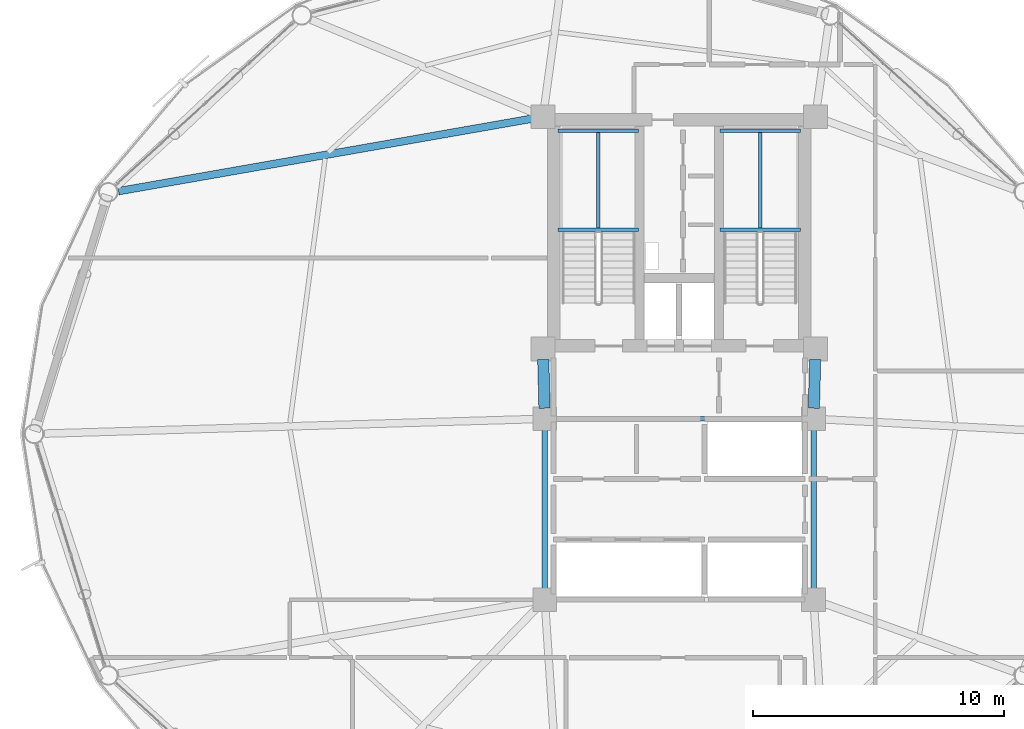
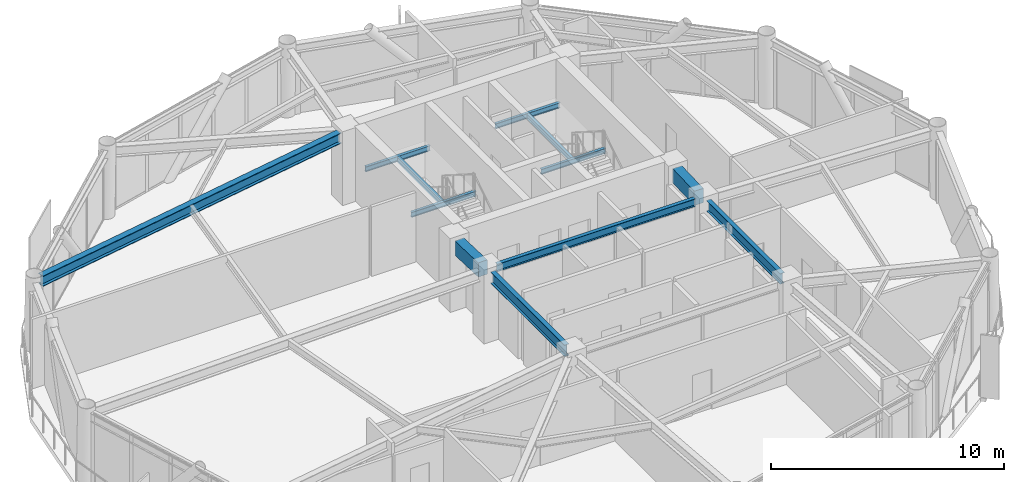
# One storey, part 11 of 25: 12 beams.
"""IFC4 building model written with IfcOpenShell, lengths in metres."""

from ifc_helpers import new_model, si_unit, direction, frame, origin, origin_2d, place, context, subcontext, project, spatial, rectangle, i_section, extrude, material, material_profile, profile_set, type_object, element, save


model = new_model("IFC4")

# Units and contexts
model_context = context("Model", 3, precision=1e-05, world=origin(), true_north=direction((0.0, 1.0)))
body_context = subcontext(model_context, "Body", "Model", "MODEL_VIEW")
ifc_project = project(units=[si_unit("LENGTHUNIT", "METRE"), si_unit("AREAUNIT", "SQUARE_METRE"), si_unit("VOLUMEUNIT", "CUBIC_METRE"), si_unit("PLANEANGLEUNIT", "RADIAN"), si_unit("MASSUNIT", "GRAM", prefix="KILO")], contexts=[model_context])

# Site, building, storey
site_placement = place(None, origin())
site = spatial("IfcSite", under=ifc_project, at=site_placement, CompositionType="ELEMENT")
building_placement = place(site_placement, origin())
building = spatial("IfcBuilding", under=site, at=building_placement, Name="Varnakorn Sky Granary", CompositionType="ELEMENT")
storey_placement = place(building_placement, frame((0.0, 0.0, 126.60009765625)))
storey = spatial("IfcBuildingStorey", under=building, at=storey_placement, Name="L31", CompositionType="ELEMENT", Elevation=126.60009765625)

# Beams
ifc_material_1 = material(Name="Steel S355JR", Category="steel")
ifc_material_profile_1 = material_profile(ifc_material_1, i_section(OverallWidth=0.2099609375, OverallDepth=0.550048828125, WebThickness=0.010986328125, FlangeThickness=0.01708984375, at=origin_2d()), Name="IPE 550")
ifc_profile_set_1 = profile_set([ifc_material_profile_1], Name="Steel S355JR")
beam_type_1 = type_object("IfcBeamType", Name="BM-JST-550", PredefinedType="JOIST", material=ifc_profile_set_1)
beam_1_placement = place(storey_placement, frame((8.35009765625, 0.179931640625, 3.364990234375), z_axis=(0.0, -1.0, 0.0), x_axis=(1.0, 0.0, 0.0)))
element("IfcBeam", 1, at=beam_1_placement, inside=storey, type_object=beam_type_1, Name="Core Spine Framing Beam 4 L31", PredefinedType="JOIST", context=body_context, shape_type="SweptSolid", body=[
    extrude(i_section(OverallWidth=0.2099609375, OverallDepth=0.550048828125, WebThickness=0.010986328125, FlangeThickness=0.01708984375, at=origin_2d()), origin(), (0.0, 0.0, 1.0), 6.35986328125),
])
ifc_material_profile_2 = material_profile(ifc_material_1, i_section(OverallWidth=0.219970703125, OverallDepth=0.60009765625, WebThickness=0.011962890625, FlangeThickness=0.01904296875, at=origin_2d()), Name="IPE 600")
ifc_profile_set_2 = profile_set([ifc_material_profile_2], Name="Steel S355JR")
beam_type_2 = type_object("IfcBeamType", Name="BM-JST-600", PredefinedType="JOIST", material=ifc_profile_set_2)
beam_2_placement = place(storey_placement, frame((-2.35009765625, 0.179931640625, 3.33984375), z_axis=(0.0, -1.0, 0.0), x_axis=(1.0, 0.0, 0.0)))
element("IfcBeam", 2, at=beam_2_placement, inside=storey, type_object=beam_type_2, Name="Core Spine Framing Beam 3 L31", PredefinedType="JOIST", context=body_context, shape_type="SweptSolid", body=[
    extrude(i_section(OverallWidth=0.219970703125, OverallDepth=0.60009765625, WebThickness=0.011962890625, FlangeThickness=0.01904296875, at=origin_2d()), origin(), (0.0, 0.0, 1.0), 6.35986328125),
])
ifc_material_2 = material(Name="Concrete C60/75", Category="concrete")
ifc_material_profile_3 = material_profile(ifc_material_2, rectangle(XDim=0.449951171875, YDim=0.75, at=origin_2d()), Name="RC 450x750")
ifc_profile_set_3 = profile_set([ifc_material_profile_3], Name="Concrete C60/75")
beam_type_3 = type_object("IfcBeamType", Name="BM-LIN-750", PredefinedType="LINTEL", material=ifc_profile_set_3)
for number, where, z_axis, x_axis, name in (
    (3, (-2.409423828125, 2.960205078125, 3.264892578125), (0.025158763514, -0.999683468213, 0.0), (0.999683468213, 0.025158763514, 0.0), "Core Spine Framing Beam 1 L31"),
    (4, (8.409423828125, 2.960205078125, 3.264892578125), (-0.025158763514, -0.999683468213, 0.0), (0.999683468213, -0.025158763514, 0.0), "Core Spine Framing Beam 2 L31"),
):
    element("IfcBeam", number, at=place(storey_placement, frame(where, z_axis=z_axis, x_axis=x_axis)), inside=storey, type_object=beam_type_3, Name=name, PredefinedType="LINTEL", context=body_context, shape_type="SweptSolid", body=[
        extrude(rectangle(XDim=0.449951171875, YDim=0.75, at=origin_2d()), origin(), (0.0, 0.0, 1.0), 1.94091796875),
    ])
ifc_material_profile_4 = material_profile(ifc_material_1, i_section(OverallWidth=0.135009765625, OverallDepth=0.27001953125, WebThickness=0.006591796875, FlangeThickness=0.01025390625, at=origin_2d()), Name="IPE 270")
ifc_profile_set_4 = profile_set([ifc_material_profile_4], Name="Steel S355JR")
beam_type_4 = type_object("IfcBeamType", Name="BM-LND-270", PredefinedType="BEAM", material=ifc_profile_set_4)
for number, where, z_axis, x_axis, name in (
    (5, (-1.820068359375, 8.1201171875, 1.614990234375), (1.0, 0.0, 0.0), (0.0, 1.0, 0.0), "Stair ST-1 Landing Trimmer Beam A L31-1"),
    (6, (-1.820068359375, 12.06005859375, 1.614990234375), (1.0, 0.0, 0.0), (0.0, 1.0, 0.0), "Stair ST-1 Landing Trimmer Beam B L31-1"),
):
    element("IfcBeam", number, at=place(storey_placement, frame(where, z_axis=z_axis, x_axis=x_axis)), inside=storey, type_object=beam_type_4, Name=name, PredefinedType="BEAM", context=body_context, shape_type="SweptSolid", body=[
        extrude(i_section(OverallWidth=0.135009765625, OverallDepth=0.27001953125, WebThickness=0.006591796875, FlangeThickness=0.01025390625, at=origin_2d()), origin(), (0.0, 0.0, 1.0), 3.199951171875),
    ])
beam_3_placement = place(storey_placement, frame((-0.219970703125, 8.1201171875, 1.614990234375), z_axis=(0.0, 1.0, 0.0), x_axis=(-1.0, 0.0, 0.0)))
element("IfcBeam", 7, at=beam_3_placement, inside=storey, type_object=beam_type_4, Name="Stair ST-1 Landing Cross Beam C L31-1", PredefinedType="BEAM", context=body_context, shape_type="SweptSolid", body=[
    extrude(i_section(OverallWidth=0.135009765625, OverallDepth=0.27001953125, WebThickness=0.006591796875, FlangeThickness=0.01025390625, at=origin_2d()), origin(), (0.0, 0.0, 1.0), 3.93994140625),
])
for number, where, z_axis, x_axis, name in (
    (8, (4.6201171875, 8.1201171875, 1.614990234375), (1.0, 0.0, 0.0), (0.0, 1.0, 0.0), "Stair ST-2 Landing Trimmer Beam A L31-1"),
    (9, (4.6201171875, 12.06005859375, 1.614990234375), (1.0, 0.0, 0.0), (0.0, 1.0, 0.0), "Stair ST-2 Landing Trimmer Beam B L31-1"),
):
    element("IfcBeam", number, at=place(storey_placement, frame(where, z_axis=z_axis, x_axis=x_axis)), inside=storey, type_object=beam_type_4, Name=name, PredefinedType="BEAM", context=body_context, shape_type="SweptSolid", body=[
        extrude(i_section(OverallWidth=0.135009765625, OverallDepth=0.27001953125, WebThickness=0.006591796875, FlangeThickness=0.01025390625, at=origin_2d()), origin(), (0.0, 0.0, 1.0), 3.199951171875),
    ])
beam_4_placement = place(storey_placement, frame((6.219970703125, 8.1201171875, 1.614990234375), z_axis=(0.0, 1.0, 0.0), x_axis=(-1.0, 0.0, 0.0)))
element("IfcBeam", 10, at=beam_4_placement, inside=storey, type_object=beam_type_4, Name="Stair ST-2 Landing Cross Beam C L31-1", PredefinedType="BEAM", context=body_context, shape_type="SweptSolid", body=[
    extrude(i_section(OverallWidth=0.135009765625, OverallDepth=0.27001953125, WebThickness=0.006591796875, FlangeThickness=0.01025390625, at=origin_2d()), origin(), (0.0, 0.0, 1.0), 3.93994140625),
])
ifc_material_profile_5 = material_profile(ifc_material_1, i_section(OverallWidth=0.300048828125, OverallDepth=0.550048828125, WebThickness=0.014892578125, FlangeThickness=0.029052734375, at=origin_2d()), Name="HE 550 B")
ifc_profile_set_5 = profile_set([ifc_material_profile_5], Name="Steel S355JR")
beam_type_5 = type_object("IfcBeamType", Name="BM-RAD-Z3", PredefinedType="BEAM", material=ifc_profile_set_5)
beam_5_placement = place(storey_placement, frame((-2.833740234375, 12.547607421875, 3.364990234375), z_axis=(-0.98497440792, -0.172700364049, 0.0), x_axis=(0.172700364049, -0.98497440792, 0.0)))
element("IfcBeam", 11, at=beam_5_placement, inside=storey, type_object=beam_type_5, Name="Radial Floor Girder RG06 L31", PredefinedType="BEAM", context=body_context, shape_type="SweptSolid", body=[
    extrude(i_section(OverallWidth=0.300048828125, OverallDepth=0.550048828125, WebThickness=0.014892578125, FlangeThickness=0.029052734375, at=origin_2d()), origin(), (0.0, 0.0, 1.0), 16.72802734375),
])
ifc_material_profile_6 = material_profile(ifc_material_1, i_section(OverallWidth=0.179931640625, OverallDepth=0.39990234375, WebThickness=0.008544921875, FlangeThickness=0.013427734375, at=origin_2d()), Name="IPE 400")
ifc_profile_set_6 = profile_set([ifc_material_profile_6], Name="Steel S355JR")
beam_type_6 = type_object("IfcBeamType", Name="BM-SEC-Z3", PredefinedType="BEAM", material=ifc_profile_set_6)
beam_6_placement = place(storey_placement, frame((-1.929931640625, 0.60009765625, 3.43994140625), z_axis=(1.0, 0.0, 0.0), x_axis=(0.0, 1.0, 0.0)))
element("IfcBeam", 12, at=beam_6_placement, inside=storey, type_object=beam_type_6, Name="Core Spine Framing Beam 5 L31", PredefinedType="BEAM", context=body_context, shape_type="SweptSolid", body=[
    extrude(i_section(OverallWidth=0.179931640625, OverallDepth=0.39990234375, WebThickness=0.008544921875, FlangeThickness=0.013427734375, at=origin_2d()), origin(), (0.0, 0.0, 1.0), 9.85986328125),
])

save(model, "model.ifc")
